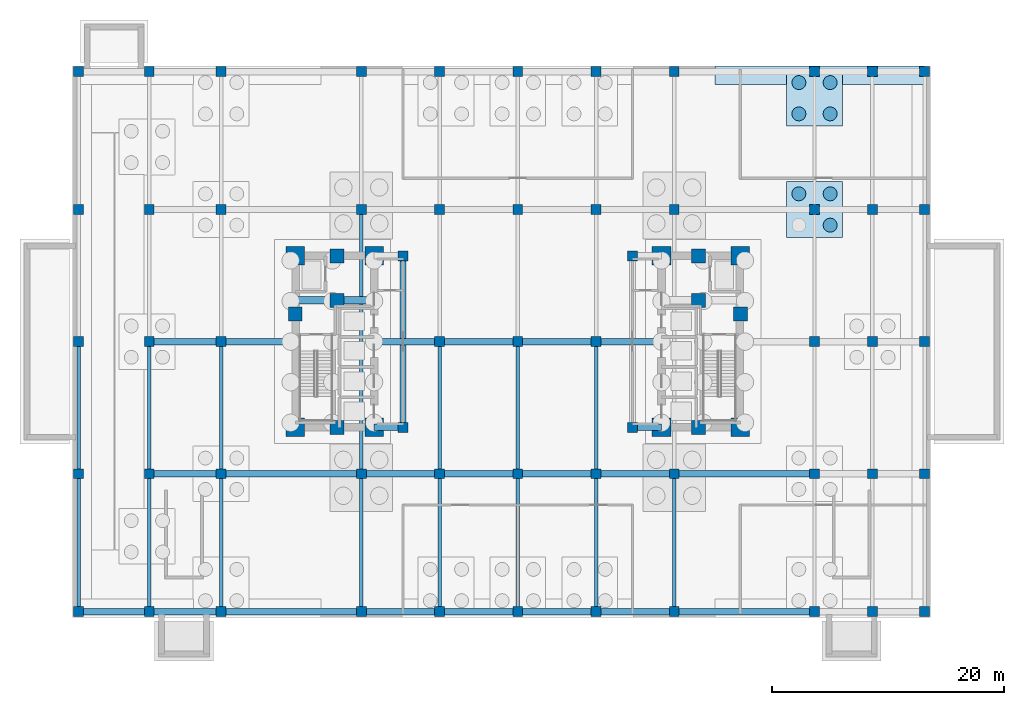
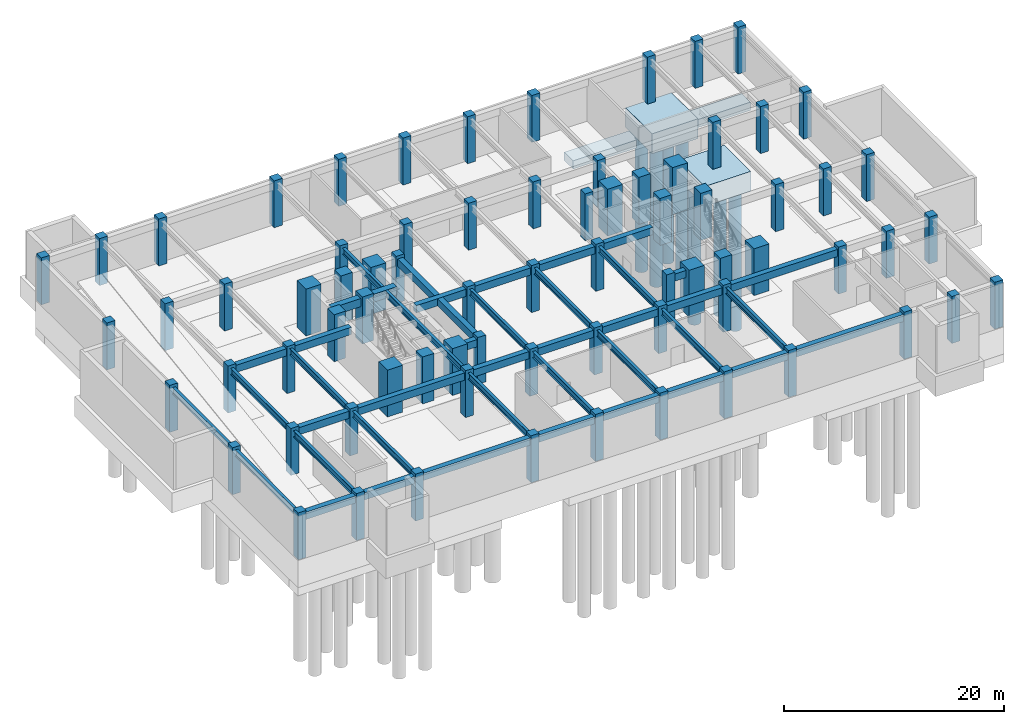
# One storey, part 2 of 11: 73 columns, 40 beams, 7 piles, 3 footings.
"""IFC4 building model written with IfcOpenShell, lengths in metres."""

from ifc_helpers import new_model, si_unit, direction, frame, origin, origin_2d, place, context, subcontext, project, spatial, polyline, rectangle, circle, i_section, outline, extrude, material, material_profile, profile_set, type_object, element, save


model = new_model("IFC4")

# Units and contexts
model_context = context("Model", 3, precision=1e-05, world=origin(), true_north=direction((0.0, 1.0)))
body_context = subcontext(model_context, "Body", "Model", "MODEL_VIEW")
ifc_project = project(units=[si_unit("LENGTHUNIT", "METRE"), si_unit("AREAUNIT", "SQUARE_METRE"), si_unit("VOLUMEUNIT", "CUBIC_METRE"), si_unit("PLANEANGLEUNIT", "RADIAN"), si_unit("MASSUNIT", "GRAM", prefix="KILO")], contexts=[model_context])

# Site, building, storey
site_placement = place(None, origin())
site = spatial("IfcSite", under=ifc_project, at=site_placement, CompositionType="ELEMENT")
building_placement = place(site_placement, origin())
building = spatial("IfcBuilding", under=site, at=building_placement, Name="Voryun Gate Residences", CompositionType="ELEMENT")
storey_placement = place(building_placement, frame((0.0, 0.0, -10.39990234375)))
storey = spatial("IfcBuildingStorey", under=building, at=storey_placement, Name="B02", CompositionType="ELEMENT", Elevation=-10.39990234375)

# Footings
ifc_material_1 = material(Name="Concrete C50/60", Category="concrete")
footing_type_1 = type_object("IfcFootingType", Name="FTG_PC3_PERIM", PredefinedType="PILE_CAP", material=ifc_material_1)
footing_1_placement = place(storey_placement, frame((0.0, 0.0, -2.2001953125)))
element("IfcFooting", 1, at=footing_1_placement, inside=storey, type_object=footing_type_1, Name="Pile cap PC-PERIM-16", PredefinedType="PILE_CAP", context=body_context, shape_type="SweptSolid", body=[
    extrude(outline(polyline([(23.199951171875, 9.0), (28.0, 9.0), (28.0, 13.800048828125), (23.199951171875, 13.800048828125), (23.199951171875, 9.0)])), origin(), (0.0, 0.0, 1.0), 2.2001953125),
])
footing_2_placement = place(storey_placement, frame((0.0, 0.0, -2.2001953125)))
element("IfcFooting", 2, at=footing_2_placement, inside=storey, type_object=footing_type_1, Name="Pile cap PC-PERIM-17", PredefinedType="PILE_CAP", context=body_context, shape_type="SweptSolid", body=[
    extrude(outline(polyline([(23.199951171875, 18.60009765625), (28.0, 18.60009765625), (28.0, 23.39990234375), (23.199951171875, 23.39990234375), (23.199951171875, 18.60009765625)])), origin(), (0.0, 0.0, 1.0), 2.2001953125),
])
ifc_material_2 = material(Name="Concrete C50/60", Category="concrete")
footing_type_2 = type_object("IfcFootingType", Name="FTG_STRIP_RET", PredefinedType="STRIP_FOOTING", material=ifc_material_2)
footing_3_placement = place(storey_placement, frame((0.0, 0.0, -3.900146484375)))
element("IfcFooting", 3, at=footing_3_placement, inside=storey, type_object=footing_type_2, Name="Retaining wall strip footing FTG-SF-N3", PredefinedType="STRIP_FOOTING", context=body_context, shape_type="SweptSolid", body=[
    extrude(outline(polyline([(17.0, 22.199951171875), (35.60009765625, 22.199951171875), (35.60009765625, 23.800048828125), (17.0, 23.800048828125), (17.0, 22.199951171875)])), origin(), (0.0, 0.0, 1.0), 0.900146484375),
])

# Piles
ifc_material_3 = material(Name="Concrete C50/60", Category="concrete")
ifc_material_profile_1 = material_profile(ifc_material_3, circle(Radius=0.60009765625, at=origin_2d()), Name="PILE-D1200")
ifc_profile_set_1 = profile_set([ifc_material_profile_1], Name="Concrete C50/60")
pile_type = type_object("IfcPileType", Name="PILE_BORED_1200", PredefinedType="BORED", material=ifc_profile_set_1)
for number, where, z_axis, x_axis, name in (
    (4, (24.25, 12.75, -2.050048828125), (0.0, 0.0, -1.0), (1.0, 0.0, 0.0), "Bored pile PC-PERIM-16-12"),
    (5, (26.949951171875, 10.050048828125, -2.050048828125), (0.0, 0.0, -1.0), (1.0, 0.0, 0.0), "Bored pile PC-PERIM-16-21"),
    (6, (26.949951171875, 12.75, -2.050048828125), (0.0, 0.0, -1.0), (1.0, 0.0, 0.0), "Bored pile PC-PERIM-16-22"),
    (7, (24.25, 19.64990234375, -2.050048828125), (0.0, 0.0, -1.0), (1.0, 0.0, 0.0), "Bored pile PC-PERIM-17-11"),
    (8, (24.25, 22.35009765625, -2.050048828125), (0.0, 0.0, -1.0), (1.0, 0.0, 0.0), "Bored pile PC-PERIM-17-12"),
    (9, (26.949951171875, 19.64990234375, -2.050048828125), (0.0, 0.0, -1.0), (1.0, 0.0, 0.0), "Bored pile PC-PERIM-17-21"),
    (10, (26.949951171875, 22.35009765625, -2.050048828125), (0.0, 0.0, -1.0), (1.0, 0.0, 0.0), "Bored pile PC-PERIM-17-22"),
):
    element("IfcPile", number, at=place(storey_placement, frame(where, z_axis=z_axis, x_axis=x_axis)), inside=storey, type_object=pile_type, Name=name, PredefinedType="BORED", context=body_context, shape_type="SweptSolid", body=[
        extrude(circle(Radius=0.60009765625, at=origin_2d()), origin(), (0.0, 0.0, 1.0), 15.550048828125),
    ])

# Columns
ifc_material_4 = material(Name="Concrete C50/60", Category="concrete")
ifc_material_profile_2 = material_profile(ifc_material_4, rectangle(XDim=0.85009765625, YDim=0.85009765625, at=origin_2d()), Name="RC-850x850")
ifc_profile_set_2 = profile_set([ifc_material_profile_2], Name="Concrete C50/60")
column_type_1 = type_object("IfcColumnType", Name="COL_BSMT_850", PredefinedType="COLUMN", material=ifc_profile_set_2)
for number, where, z_axis, x_axis, name in (
    (11, (-37.89990234375, -23.300048828125, 0.0), (0.0, 0.0, 1.0), (1.0, 0.0, 0.0), "B02 Basement grid column 1-1"),
    (12, (-37.89990234375, -11.39990234375, 0.0), (0.0, 0.0, 1.0), (1.0, 0.0, 0.0), "B02 Basement grid column 1-2"),
    (13, (-37.89990234375, 0.0, 0.0), (0.0, 0.0, 1.0), (1.0, 0.0, 0.0), "B02 Basement grid column 1-3"),
    (14, (-37.89990234375, 11.39990234375, 0.0), (0.0, 0.0, 1.0), (1.0, 0.0, 0.0), "B02 Basement grid column 1-4"),
    (15, (-37.89990234375, 23.300048828125, 0.0), (0.0, 0.0, 1.0), (1.0, 0.0, 0.0), "B02 Basement grid column 1-5"),
    (16, (-31.800048828125, -23.300048828125, 0.0), (0.0, 0.0, 1.0), (1.0, 0.0, 0.0), "B02 Basement grid column 2-1"),
    (17, (-31.800048828125, -11.39990234375, 0.0), (0.0, 0.0, 1.0), (1.0, 0.0, 0.0), "B02 Basement grid column 2-2"),
    (18, (-31.800048828125, 0.0, 0.0), (0.0, 0.0, 1.0), (1.0, 0.0, 0.0), "B02 Basement grid column 2-3"),
    (19, (-31.800048828125, 11.39990234375, 0.0), (0.0, 0.0, 1.0), (1.0, 0.0, 0.0), "B02 Basement grid column 2-4"),
    (20, (-31.800048828125, 23.300048828125, 0.0), (0.0, 0.0, 1.0), (1.0, 0.0, 0.0), "B02 Basement grid column 2-5"),
    (21, (-25.60009765625, -23.300048828125, 0.0), (0.0, 0.0, 1.0), (1.0, 0.0, 0.0), "B02 Basement grid column 3-1"),
    (22, (-25.60009765625, -11.39990234375, 0.0), (0.0, 0.0, 1.0), (1.0, 0.0, 0.0), "B02 Basement grid column 3-2"),
    (23, (-25.60009765625, 0.0, 0.0), (0.0, 0.0, 1.0), (1.0, 0.0, 0.0), "B02 Basement grid column 3-3"),
    (24, (-25.60009765625, 11.39990234375, 0.0), (0.0, 0.0, 1.0), (1.0, 0.0, 0.0), "B02 Basement grid column 3-4"),
    (25, (-25.60009765625, 23.300048828125, 0.0), (0.0, 0.0, 1.0), (1.0, 0.0, 0.0), "B02 Basement grid column 3-5"),
    (26, (-13.5, -23.300048828125, 0.0), (0.0, 0.0, 1.0), (1.0, 0.0, 0.0), "B02 Basement grid column 4-1"),
    (27, (-13.5, -11.39990234375, 0.0), (0.0, 0.0, 1.0), (1.0, 0.0, 0.0), "B02 Basement grid column 4-2"),
    (28, (-13.5, 11.39990234375, 0.0), (0.0, 0.0, 1.0), (1.0, 0.0, 0.0), "B02 Basement grid column 4-4"),
    (29, (-13.5, 23.300048828125, 0.0), (0.0, 0.0, 1.0), (1.0, 0.0, 0.0), "B02 Basement grid column 4-5"),
    (30, (-6.75, -23.300048828125, 0.0), (0.0, 0.0, 1.0), (1.0, 0.0, 0.0), "B02 Basement grid column 5-1"),
    (31, (-6.75, -11.39990234375, 0.0), (0.0, 0.0, 1.0), (1.0, 0.0, 0.0), "B02 Basement grid column 5-2"),
    (32, (-6.75, 0.0, 0.0), (0.0, 0.0, 1.0), (1.0, 0.0, 0.0), "B02 Basement grid column 5-3"),
    (33, (-6.75, 11.39990234375, 0.0), (0.0, 0.0, 1.0), (1.0, 0.0, 0.0), "B02 Basement grid column 5-4"),
    (34, (-6.75, 23.300048828125, 0.0), (0.0, 0.0, 1.0), (1.0, 0.0, 0.0), "B02 Basement grid column 5-5"),
    (35, (0.0, -23.300048828125, 0.0), (0.0, 0.0, 1.0), (1.0, 0.0, 0.0), "B02 Basement grid column 6-1"),
    (36, (0.0, -11.39990234375, 0.0), (0.0, 0.0, 1.0), (1.0, 0.0, 0.0), "B02 Basement grid column 6-2"),
    (37, (0.0, 0.0, 0.0), (0.0, 0.0, 1.0), (1.0, 0.0, 0.0), "B02 Basement grid column 6-3"),
    (38, (0.0, 11.39990234375, 0.0), (0.0, 0.0, 1.0), (1.0, 0.0, 0.0), "B02 Basement grid column 6-4"),
    (39, (0.0, 23.300048828125, 0.0), (0.0, 0.0, 1.0), (1.0, 0.0, 0.0), "B02 Basement grid column 6-5"),
    (40, (6.75, -23.300048828125, 0.0), (0.0, 0.0, 1.0), (1.0, 0.0, 0.0), "B02 Basement grid column 7-1"),
    (41, (6.75, -11.39990234375, 0.0), (0.0, 0.0, 1.0), (1.0, 0.0, 0.0), "B02 Basement grid column 7-2"),
    (42, (6.75, 0.0, 0.0), (0.0, 0.0, 1.0), (1.0, 0.0, 0.0), "B02 Basement grid column 7-3"),
    (43, (6.75, 11.39990234375, 0.0), (0.0, 0.0, 1.0), (1.0, 0.0, 0.0), "B02 Basement grid column 7-4"),
    (44, (6.75, 23.300048828125, 0.0), (0.0, 0.0, 1.0), (1.0, 0.0, 0.0), "B02 Basement grid column 7-5"),
    (45, (13.5, -23.300048828125, 0.0), (0.0, 0.0, 1.0), (1.0, 0.0, 0.0), "B02 Basement grid column 8-1"),
    (46, (13.5, -11.39990234375, 0.0), (0.0, 0.0, 1.0), (1.0, 0.0, 0.0), "B02 Basement grid column 8-2"),
    (47, (13.5, 11.39990234375, 0.0), (0.0, 0.0, 1.0), (1.0, 0.0, 0.0), "B02 Basement grid column 8-4"),
    (48, (13.5, 23.300048828125, 0.0), (0.0, 0.0, 1.0), (1.0, 0.0, 0.0), "B02 Basement grid column 8-5"),
    (49, (25.60009765625, -23.300048828125, 0.0), (0.0, 0.0, 1.0), (1.0, 0.0, 0.0), "B02 Basement grid column 9-1"),
    (50, (25.60009765625, -11.39990234375, 0.0), (0.0, 0.0, 1.0), (1.0, 0.0, 0.0), "B02 Basement grid column 9-2"),
    (51, (25.60009765625, 0.0, 0.0), (0.0, 0.0, 1.0), (1.0, 0.0, 0.0), "B02 Basement grid column 9-3"),
    (52, (25.60009765625, 11.39990234375, 0.0), (0.0, 0.0, 1.0), (1.0, 0.0, 0.0), "B02 Basement grid column 9-4"),
    (53, (25.60009765625, 23.300048828125, 0.0), (0.0, 0.0, 1.0), (1.0, 0.0, 0.0), "B02 Basement grid column 9-5"),
    (54, (30.60009765625, -23.300048828125, 0.0), (0.0, 0.0, 1.0), (1.0, 0.0, 0.0), "B02 Basement grid column 10-1"),
    (55, (30.60009765625, -11.39990234375, 0.0), (0.0, 0.0, 1.0), (1.0, 0.0, 0.0), "B02 Basement grid column 10-2"),
    (56, (30.60009765625, 0.0, 0.0), (0.0, 0.0, 1.0), (1.0, 0.0, 0.0), "B02 Basement grid column 10-3"),
    (57, (30.60009765625, 11.39990234375, 0.0), (0.0, 0.0, 1.0), (1.0, 0.0, 0.0), "B02 Basement grid column 10-4"),
    (58, (30.60009765625, 23.300048828125, 0.0), (0.0, 0.0, 1.0), (1.0, 0.0, 0.0), "B02 Basement grid column 10-5"),
    (59, (35.10009765625, -23.300048828125, 0.0), (0.0, 0.0, 1.0), (1.0, 0.0, 0.0), "B02 Basement grid column 11-1"),
    (60, (35.10009765625, -11.39990234375, 0.0), (0.0, 0.0, 1.0), (1.0, 0.0, 0.0), "B02 Basement grid column 11-2"),
    (61, (35.10009765625, 0.0, 0.0), (0.0, 0.0, 1.0), (1.0, 0.0, 0.0), "B02 Basement grid column 11-3"),
    (62, (35.10009765625, 11.39990234375, 0.0), (0.0, 0.0, 1.0), (1.0, 0.0, 0.0), "B02 Basement grid column 11-4"),
    (63, (35.10009765625, 23.300048828125, 0.0), (0.0, 0.0, 1.0), (1.0, 0.0, 0.0), "B02 Basement grid column 11-5"),
    (64, (-9.89990234375, -7.39990234375, 0.0), (0.0, 0.0, 1.0), (1.0, 0.0, 0.0), "B02 Core collar column CLR-WS"),
    (65, (-9.89990234375, 7.39990234375, 0.0), (0.0, 0.0, 1.0), (1.0, 0.0, 0.0), "B02 Core collar column CLR-WN"),
    (66, (9.89990234375, -7.39990234375, 0.0), (0.0, 0.0, 1.0), (1.0, 0.0, 0.0), "B02 Core collar column CLR-ES"),
    (67, (9.89990234375, 7.39990234375, 0.0), (0.0, 0.0, 1.0), (1.0, 0.0, 0.0), "B02 Core collar column CLR-EN"),
):
    element("IfcColumn", number, at=place(storey_placement, frame(where, z_axis=z_axis, x_axis=x_axis)), inside=storey, type_object=column_type_1, Name=name, PredefinedType="COLUMN", context=body_context, shape_type="SweptSolid", body=[
        extrude(rectangle(XDim=0.85009765625, YDim=0.85009765625, at=origin_2d()), origin(), (0.0, 0.0, 1.0), 5.199951171875),
    ])
ifc_material_5 = material(Name="Concrete C60/75", Category="concrete")
ifc_material_profile_3 = material_profile(ifc_material_5, rectangle(XDim=1.199951171875, YDim=1.199951171875, at=origin_2d()), Name="RC-1200x1200")
ifc_profile_set_3 = profile_set([ifc_material_profile_3], Name="Concrete C60/75")
column_type_2 = type_object("IfcColumnType", Name="COL_CORE_1200", PredefinedType="COLUMN", material=ifc_profile_set_3)
for number, where, z_axis, x_axis, name in (
    (68, (-19.199951171875, 2.39990234375, 0.0), (0.0, 0.0, 1.0), (1.0, 0.0, 0.0), "B02 Core boundary column WC-MW"),
    (69, (-15.60009765625, -7.39990234375, 0.0), (0.0, 0.0, 1.0), (1.0, 0.0, 0.0), "B02 Core boundary column WC-SM"),
    (70, (-15.60009765625, 7.39990234375, 0.0), (0.0, 0.0, 1.0), (1.0, 0.0, 0.0), "B02 Core boundary column WC-NM"),
    (71, (-15.60009765625, 3.550048828125, 0.0), (0.0, 0.0, 1.0), (1.0, 0.0, 0.0), "B02 Core boundary column WC-MM"),
    (72, (15.60009765625, 3.550048828125, 0.0), (0.0, 0.0, 1.0), (1.0, 0.0, 0.0), "B02 Core boundary column EC-MM"),
    (73, (15.60009765625, -7.39990234375, 0.0), (0.0, 0.0, 1.0), (1.0, 0.0, 0.0), "B02 Core boundary column EC-SM"),
    (74, (15.60009765625, 7.39990234375, 0.0), (0.0, 0.0, 1.0), (1.0, 0.0, 0.0), "B02 Core boundary column EC-NM"),
    (75, (19.199951171875, 2.39990234375, 0.0), (0.0, 0.0, 1.0), (1.0, 0.0, 0.0), "B02 Core boundary column EC-ME"),
):
    element("IfcColumn", number, at=place(storey_placement, frame(where, z_axis=z_axis, x_axis=x_axis)), inside=storey, type_object=column_type_2, Name=name, PredefinedType="COLUMN", context=body_context, shape_type="SweptSolid", body=[
        extrude(rectangle(XDim=1.199951171875, YDim=1.199951171875, at=origin_2d()), origin(), (0.0, 0.0, 1.0), 5.199951171875),
    ])
ifc_material_6 = material(Name="Concrete C60/75", Category="concrete")
ifc_material_profile_4 = material_profile(ifc_material_6, rectangle(XDim=1.60009765625, YDim=1.60009765625, at=origin_2d()), Name="RC-1600x1600")
ifc_profile_set_4 = profile_set([ifc_material_profile_4], Name="Concrete C60/75")
column_type_3 = type_object("IfcColumnType", Name="COL_MEGA_1600", PredefinedType="COLUMN", material=ifc_profile_set_4)
for number, where, z_axis, x_axis, name in (
    (76, (-19.199951171875, -7.39990234375, 0.0), (0.0, 0.0, 1.0), (1.0, 0.0, 0.0), "B02 Core boundary column WC-SW"),
    (77, (-19.199951171875, 7.39990234375, 0.0), (0.0, 0.0, 1.0), (1.0, 0.0, 0.0), "B02 Core boundary column WC-NW"),
    (78, (-12.39990234375, -7.39990234375, 0.0), (0.0, 0.0, 1.0), (1.0, 0.0, 0.0), "B02 Core boundary column WC-SE"),
    (79, (-12.39990234375, 7.39990234375, 0.0), (0.0, 0.0, 1.0), (1.0, 0.0, 0.0), "B02 Core boundary column WC-NE"),
    (80, (12.39990234375, -7.39990234375, 0.0), (0.0, 0.0, 1.0), (1.0, 0.0, 0.0), "B02 Core boundary column EC-SW"),
    (81, (12.39990234375, 7.39990234375, 0.0), (0.0, 0.0, 1.0), (1.0, 0.0, 0.0), "B02 Core boundary column EC-NW"),
    (82, (19.199951171875, -7.39990234375, 0.0), (0.0, 0.0, 1.0), (1.0, 0.0, 0.0), "B02 Core boundary column EC-SE"),
    (83, (19.199951171875, 7.39990234375, 0.0), (0.0, 0.0, 1.0), (1.0, 0.0, 0.0), "B02 Core boundary column EC-NE"),
):
    element("IfcColumn", number, at=place(storey_placement, frame(where, z_axis=z_axis, x_axis=x_axis)), inside=storey, type_object=column_type_3, Name=name, PredefinedType="COLUMN", context=body_context, shape_type="SweptSolid", body=[
        extrude(rectangle(XDim=1.60009765625, YDim=1.60009765625, at=origin_2d()), origin(), (0.0, 0.0, 1.0), 5.199951171875),
    ])

# Beams
ifc_material_7 = material(Name="Concrete C50/60", Category="concrete")
ifc_material_profile_5 = material_profile(ifc_material_7, rectangle(XDim=0.550048828125, YDim=0.800048828125, at=origin_2d()), Name="RC-550x800")
ifc_profile_set_5 = profile_set([ifc_material_profile_5], Name="Concrete C50/60")
beam_type_1 = type_object("IfcBeamType", Name="BM_BSMT_RC800", PredefinedType="BEAM", material=ifc_profile_set_5)
for number, where, z_axis, x_axis, name in (
    (84, (-12.39990234375, -7.39990234375, 4.47998046875), (1.0, 0.0, 0.0), (0.0, 1.0, 0.0), "BM-B02-CLRX-CLR-WS"),
    (85, (12.39990234375, -7.39990234375, 4.47998046875), (-1.0, 0.0, 0.0), (0.0, -1.0, 0.0), "BM-B02-CLRX-CLR-ES"),
):
    element("IfcBeam", number, at=place(storey_placement, frame(where, z_axis=z_axis, x_axis=x_axis)), inside=storey, type_object=beam_type_1, Name=name, PredefinedType="BEAM", context=body_context, shape_type="SweptSolid", body=[
        extrude(rectangle(XDim=0.550048828125, YDim=0.800048828125, at=origin_2d()), origin(), (0.0, 0.0, 1.0), 2.5),
    ])
beam_1_placement = place(storey_placement, frame((-9.89990234375, -7.39990234375, 4.47998046875), z_axis=(0.0, 1.0, 0.0), x_axis=(-1.0, 0.0, 0.0)))
element("IfcBeam", 86, at=beam_1_placement, inside=storey, type_object=beam_type_1, Name="BM-B02-CLRY-W", PredefinedType="BEAM", context=body_context, shape_type="SweptSolid", body=[
    extrude(rectangle(XDim=0.550048828125, YDim=0.800048828125, at=origin_2d()), origin(), (0.0, 0.0, 1.0), 14.7998046875),
])
beam_2_placement = place(storey_placement, frame((-37.89990234375, -23.300048828125, 4.47998046875), z_axis=(1.0, 0.0, 0.0), x_axis=(0.0, 1.0, 0.0)))
element("IfcBeam", 87, at=beam_2_placement, inside=storey, type_object=beam_type_1, Name="BM-B02-BX--23.3-0", PredefinedType="BEAM", context=body_context, shape_type="SweptSolid", body=[
    extrude(rectangle(XDim=0.550048828125, YDim=0.800048828125, at=origin_2d()), origin(), (0.0, 0.0, 1.0), 6.099853515625),
])
beam_3_placement = place(storey_placement, frame((-31.800048828125, -23.300048828125, 4.47998046875), z_axis=(1.0, 0.0, 0.0), x_axis=(0.0, 1.0, 0.0)))
element("IfcBeam", 88, at=beam_3_placement, inside=storey, type_object=beam_type_1, Name="BM-B02-BX--23.3-1", PredefinedType="BEAM", context=body_context, shape_type="SweptSolid", body=[
    extrude(rectangle(XDim=0.550048828125, YDim=0.800048828125, at=origin_2d()), origin(), (0.0, 0.0, 1.0), 6.199951171875),
])
beam_4_placement = place(storey_placement, frame((-25.60009765625, -23.300048828125, 4.47998046875), z_axis=(1.0, 0.0, 0.0), x_axis=(0.0, 1.0, 0.0)))
element("IfcBeam", 89, at=beam_4_placement, inside=storey, type_object=beam_type_1, Name="BM-B02-BX--23.3-2", PredefinedType="BEAM", context=body_context, shape_type="SweptSolid", body=[
    extrude(rectangle(XDim=0.550048828125, YDim=0.800048828125, at=origin_2d()), origin(), (0.0, 0.0, 1.0), 12.10009765625),
])
for number, where, z_axis, x_axis, name in (
    (90, (-13.5, -23.300048828125, 4.47998046875), (1.0, 0.0, 0.0), (0.0, 1.0, 0.0), "BM-B02-BX--23.3-3"),
    (91, (-6.75, -23.300048828125, 4.47998046875), (1.0, 0.0, 0.0), (0.0, 1.0, 0.0), "BM-B02-BX--23.3-4"),
    (92, (0.0, -23.300048828125, 4.47998046875), (1.0, 0.0, 0.0), (0.0, 1.0, 0.0), "BM-B02-BX--23.3-5"),
    (93, (6.75, -23.300048828125, 4.47998046875), (1.0, 0.0, 0.0), (0.0, 1.0, 0.0), "BM-B02-BX--23.3-6"),
):
    element("IfcBeam", number, at=place(storey_placement, frame(where, z_axis=z_axis, x_axis=x_axis)), inside=storey, type_object=beam_type_1, Name=name, PredefinedType="BEAM", context=body_context, shape_type="SweptSolid", body=[
        extrude(rectangle(XDim=0.550048828125, YDim=0.800048828125, at=origin_2d()), origin(), (0.0, 0.0, 1.0), 6.75),
    ])
beam_5_placement = place(storey_placement, frame((13.5, -23.300048828125, 4.47998046875), z_axis=(1.0, 0.0, 0.0), x_axis=(0.0, 1.0, 0.0)))
element("IfcBeam", 94, at=beam_5_placement, inside=storey, type_object=beam_type_1, Name="BM-B02-BX--23.3-7", PredefinedType="BEAM", context=body_context, shape_type="SweptSolid", body=[
    extrude(rectangle(XDim=0.550048828125, YDim=0.800048828125, at=origin_2d()), origin(), (0.0, 0.0, 1.0), 12.10009765625),
])
beam_6_placement = place(storey_placement, frame((-31.800048828125, -11.39990234375, 4.47998046875), z_axis=(1.0, 0.0, 0.0), x_axis=(0.0, 1.0, 0.0)))
element("IfcBeam", 95, at=beam_6_placement, inside=storey, type_object=beam_type_1, Name="BM-B02-BX--11.4-1", PredefinedType="BEAM", context=body_context, shape_type="SweptSolid", body=[
    extrude(rectangle(XDim=0.550048828125, YDim=0.800048828125, at=origin_2d()), origin(), (0.0, 0.0, 1.0), 6.199951171875),
])
beam_7_placement = place(storey_placement, frame((-25.60009765625, -11.39990234375, 4.47998046875), z_axis=(1.0, 0.0, 0.0), x_axis=(0.0, 1.0, 0.0)))
element("IfcBeam", 96, at=beam_7_placement, inside=storey, type_object=beam_type_1, Name="BM-B02-BX--11.4-2", PredefinedType="BEAM", context=body_context, shape_type="SweptSolid", body=[
    extrude(rectangle(XDim=0.550048828125, YDim=0.800048828125, at=origin_2d()), origin(), (0.0, 0.0, 1.0), 12.10009765625),
])
for number, where, z_axis, x_axis, name in (
    (97, (-13.5, -11.39990234375, 4.47998046875), (1.0, 0.0, 0.0), (0.0, 1.0, 0.0), "BM-B02-BX--11.4-3"),
    (98, (-6.75, -11.39990234375, 4.47998046875), (1.0, 0.0, 0.0), (0.0, 1.0, 0.0), "BM-B02-BX--11.4-4"),
    (99, (0.0, -11.39990234375, 4.47998046875), (1.0, 0.0, 0.0), (0.0, 1.0, 0.0), "BM-B02-BX--11.4-5"),
    (100, (6.75, -11.39990234375, 4.47998046875), (1.0, 0.0, 0.0), (0.0, 1.0, 0.0), "BM-B02-BX--11.4-6"),
):
    element("IfcBeam", number, at=place(storey_placement, frame(where, z_axis=z_axis, x_axis=x_axis)), inside=storey, type_object=beam_type_1, Name=name, PredefinedType="BEAM", context=body_context, shape_type="SweptSolid", body=[
        extrude(rectangle(XDim=0.550048828125, YDim=0.800048828125, at=origin_2d()), origin(), (0.0, 0.0, 1.0), 6.75),
    ])
beam_8_placement = place(storey_placement, frame((13.5, -11.39990234375, 4.47998046875), z_axis=(1.0, 0.0, 0.0), x_axis=(0.0, 1.0, 0.0)))
element("IfcBeam", 101, at=beam_8_placement, inside=storey, type_object=beam_type_1, Name="BM-B02-BX--11.4-7", PredefinedType="BEAM", context=body_context, shape_type="SweptSolid", body=[
    extrude(rectangle(XDim=0.550048828125, YDim=0.800048828125, at=origin_2d()), origin(), (0.0, 0.0, 1.0), 12.10009765625),
])
beam_9_placement = place(storey_placement, frame((-31.800048828125, 0.0, 4.47998046875), z_axis=(1.0, 0.0, 0.0), x_axis=(0.0, 1.0, 0.0)))
element("IfcBeam", 102, at=beam_9_placement, inside=storey, type_object=beam_type_1, Name="BM-B02-BX-+0.0-1", PredefinedType="BEAM", context=body_context, shape_type="SweptSolid", body=[
    extrude(rectangle(XDim=0.550048828125, YDim=0.800048828125, at=origin_2d()), origin(), (0.0, 0.0, 1.0), 6.199951171875),
])
beam_10_placement = place(storey_placement, frame((-25.60009765625, 0.0, 4.47998046875), z_axis=(1.0, 0.0, 0.0), x_axis=(0.0, 1.0, 0.0)))
element("IfcBeam", 103, at=beam_10_placement, inside=storey, type_object=beam_type_1, Name="BM-B02-BX-+0.0-2", PredefinedType="BEAM", context=body_context, shape_type="SweptSolid", body=[
    extrude(rectangle(XDim=0.550048828125, YDim=0.800048828125, at=origin_2d()), origin(), (0.0, 0.0, 1.0), 6.400146484375),
])
beam_11_placement = place(storey_placement, frame((-12.39990234375, 0.0, 4.47998046875), z_axis=(1.0, 0.0, 0.0), x_axis=(0.0, 1.0, 0.0)))
element("IfcBeam", 104, at=beam_11_placement, inside=storey, type_object=beam_type_1, Name="BM-B02-BX-+0.0-4", PredefinedType="BEAM", context=body_context, shape_type="SweptSolid", body=[
    extrude(rectangle(XDim=0.550048828125, YDim=0.800048828125, at=origin_2d()), origin(), (0.0, 0.0, 1.0), 5.64990234375),
])
for number, where, z_axis, x_axis, name in (
    (105, (-6.75, 0.0, 4.47998046875), (1.0, 0.0, 0.0), (0.0, 1.0, 0.0), "BM-B02-BX-+0.0-5"),
    (106, (0.0, 0.0, 4.47998046875), (1.0, 0.0, 0.0), (0.0, 1.0, 0.0), "BM-B02-BX-+0.0-6"),
):
    element("IfcBeam", number, at=place(storey_placement, frame(where, z_axis=z_axis, x_axis=x_axis)), inside=storey, type_object=beam_type_1, Name=name, PredefinedType="BEAM", context=body_context, shape_type="SweptSolid", body=[
        extrude(rectangle(XDim=0.550048828125, YDim=0.800048828125, at=origin_2d()), origin(), (0.0, 0.0, 1.0), 6.75),
    ])
beam_12_placement = place(storey_placement, frame((6.75, 0.0, 4.47998046875), z_axis=(1.0, 0.0, 0.0), x_axis=(0.0, 1.0, 0.0)))
element("IfcBeam", 107, at=beam_12_placement, inside=storey, type_object=beam_type_1, Name="BM-B02-BX-+0.0-7", PredefinedType="BEAM", context=body_context, shape_type="SweptSolid", body=[
    extrude(rectangle(XDim=0.550048828125, YDim=0.800048828125, at=origin_2d()), origin(), (0.0, 0.0, 1.0), 5.64990234375),
])
ifc_material_8 = material(Name="Concrete C60/75", Category="concrete")
ifc_material_profile_6 = material_profile(ifc_material_8, rectangle(XDim=0.64990234375, YDim=0.89990234375, at=origin_2d()), Name="RC-650x900")
ifc_profile_set_6 = profile_set([ifc_material_profile_6], Name="Concrete C60/75")
beam_type_2 = type_object("IfcBeamType", Name="BM_COUP_RC900", PredefinedType="LINTEL", material=ifc_profile_set_6)
beam_13_placement = place(storey_placement, frame((-19.199951171875, 3.550048828125, 4.429931640625), z_axis=(1.0, 0.0, 0.0), x_axis=(0.0, 1.0, 0.0)))
element("IfcBeam", 108, at=beam_13_placement, inside=storey, type_object=beam_type_2, Name="BM-B02-WC1", PredefinedType="LINTEL", context=body_context, shape_type="SweptSolid", body=[
    extrude(rectangle(XDim=0.64990234375, YDim=0.89990234375, at=origin_2d()), origin(), (0.0, 0.0, 1.0), 6.800048828125),
])
ifc_material_9 = material(Name="Steel SM355", Category="steel")
ifc_material_profile_7 = material_profile(ifc_material_9, i_section(OverallWidth=0.300048828125, OverallDepth=0.699951171875, WebThickness=0.012939453125, FlangeThickness=0.02392578125, FilletRadius=0.01806640625, at=origin_2d()), Name="H-700x300x13x24")
ifc_profile_set_7 = profile_set([ifc_material_profile_7], Name="Steel SM355")
beam_type_3 = type_object("IfcBeamType", Name="BM_GIRD_700", PredefinedType="USERDEFINED", material=ifc_profile_set_7)
beam_14_placement = place(storey_placement, frame((-37.89990234375, -23.300048828125, 4.52978515625), z_axis=(0.0, 1.0, 0.0), x_axis=(-1.0, 0.0, 0.0)))
element("IfcBeam", 109, at=beam_14_placement, inside=storey, type_object=beam_type_3, Name="BM-B02-BY--37.9-0", ObjectType="GIRDER", PredefinedType="USERDEFINED", context=body_context, shape_type="SweptSolid", body=[
    extrude(i_section(OverallWidth=0.300048828125, OverallDepth=0.699951171875, WebThickness=0.012939453125, FlangeThickness=0.02392578125, FilletRadius=0.01806640625, at=origin_2d()), origin(), (0.0, 0.0, 1.0), 11.900146484375),
])
beam_15_placement = place(storey_placement, frame((-37.89990234375, -11.39990234375, 4.52978515625), z_axis=(0.0, 1.0, 0.0), x_axis=(-1.0, 0.0, 0.0)))
element("IfcBeam", 110, at=beam_15_placement, inside=storey, type_object=beam_type_3, Name="BM-B02-BY--37.9-1", ObjectType="GIRDER", PredefinedType="USERDEFINED", context=body_context, shape_type="SweptSolid", body=[
    extrude(i_section(OverallWidth=0.300048828125, OverallDepth=0.699951171875, WebThickness=0.012939453125, FlangeThickness=0.02392578125, FilletRadius=0.01806640625, at=origin_2d()), origin(), (0.0, 0.0, 1.0), 11.39990234375),
])
beam_16_placement = place(storey_placement, frame((-31.800048828125, -23.300048828125, 4.52978515625), z_axis=(0.0, 1.0, 0.0), x_axis=(-1.0, 0.0, 0.0)))
element("IfcBeam", 111, at=beam_16_placement, inside=storey, type_object=beam_type_3, Name="BM-B02-BY--31.8-0", ObjectType="GIRDER", PredefinedType="USERDEFINED", context=body_context, shape_type="SweptSolid", body=[
    extrude(i_section(OverallWidth=0.300048828125, OverallDepth=0.699951171875, WebThickness=0.012939453125, FlangeThickness=0.02392578125, FilletRadius=0.01806640625, at=origin_2d()), origin(), (0.0, 0.0, 1.0), 11.900146484375),
])
beam_17_placement = place(storey_placement, frame((-31.800048828125, -11.39990234375, 4.52978515625), z_axis=(0.0, 1.0, 0.0), x_axis=(-1.0, 0.0, 0.0)))
element("IfcBeam", 112, at=beam_17_placement, inside=storey, type_object=beam_type_3, Name="BM-B02-BY--31.8-1", ObjectType="GIRDER", PredefinedType="USERDEFINED", context=body_context, shape_type="SweptSolid", body=[
    extrude(i_section(OverallWidth=0.300048828125, OverallDepth=0.699951171875, WebThickness=0.012939453125, FlangeThickness=0.02392578125, FilletRadius=0.01806640625, at=origin_2d()), origin(), (0.0, 0.0, 1.0), 11.39990234375),
])
beam_18_placement = place(storey_placement, frame((-25.60009765625, -23.300048828125, 4.52978515625), z_axis=(0.0, 1.0, 0.0), x_axis=(-1.0, 0.0, 0.0)))
element("IfcBeam", 113, at=beam_18_placement, inside=storey, type_object=beam_type_3, Name="BM-B02-BY--25.6-0", ObjectType="GIRDER", PredefinedType="USERDEFINED", context=body_context, shape_type="SweptSolid", body=[
    extrude(i_section(OverallWidth=0.300048828125, OverallDepth=0.699951171875, WebThickness=0.012939453125, FlangeThickness=0.02392578125, FilletRadius=0.01806640625, at=origin_2d()), origin(), (0.0, 0.0, 1.0), 11.900146484375),
])
beam_19_placement = place(storey_placement, frame((-25.60009765625, -11.39990234375, 4.52978515625), z_axis=(0.0, 1.0, 0.0), x_axis=(-1.0, 0.0, 0.0)))
element("IfcBeam", 114, at=beam_19_placement, inside=storey, type_object=beam_type_3, Name="BM-B02-BY--25.6-1", ObjectType="GIRDER", PredefinedType="USERDEFINED", context=body_context, shape_type="SweptSolid", body=[
    extrude(i_section(OverallWidth=0.300048828125, OverallDepth=0.699951171875, WebThickness=0.012939453125, FlangeThickness=0.02392578125, FilletRadius=0.01806640625, at=origin_2d()), origin(), (0.0, 0.0, 1.0), 11.39990234375),
])
beam_20_placement = place(storey_placement, frame((-13.5, -23.300048828125, 4.52978515625), z_axis=(0.0, 1.0, 0.0), x_axis=(-1.0, 0.0, 0.0)))
element("IfcBeam", 115, at=beam_20_placement, inside=storey, type_object=beam_type_3, Name="BM-B02-BY--13.5-0", ObjectType="GIRDER", PredefinedType="USERDEFINED", context=body_context, shape_type="SweptSolid", body=[
    extrude(i_section(OverallWidth=0.300048828125, OverallDepth=0.699951171875, WebThickness=0.012939453125, FlangeThickness=0.02392578125, FilletRadius=0.01806640625, at=origin_2d()), origin(), (0.0, 0.0, 1.0), 11.900146484375),
])
beam_21_placement = place(storey_placement, frame((-13.5, -11.39990234375, 4.52978515625), z_axis=(0.0, 1.0, 0.0), x_axis=(-1.0, 0.0, 0.0)))
element("IfcBeam", 116, at=beam_21_placement, inside=storey, type_object=beam_type_3, Name="BM-B02-BY--13.5-1", ObjectType="GIRDER", PredefinedType="USERDEFINED", context=body_context, shape_type="SweptSolid", body=[
    extrude(i_section(OverallWidth=0.300048828125, OverallDepth=0.699951171875, WebThickness=0.012939453125, FlangeThickness=0.02392578125, FilletRadius=0.01806640625, at=origin_2d()), origin(), (0.0, 0.0, 1.0), 22.7998046875),
])
beam_22_placement = place(storey_placement, frame((-6.75, -23.300048828125, 4.52978515625), z_axis=(0.0, 1.0, 0.0), x_axis=(-1.0, 0.0, 0.0)))
element("IfcBeam", 117, at=beam_22_placement, inside=storey, type_object=beam_type_3, Name="BM-B02-BY--6.8-0", ObjectType="GIRDER", PredefinedType="USERDEFINED", context=body_context, shape_type="SweptSolid", body=[
    extrude(i_section(OverallWidth=0.300048828125, OverallDepth=0.699951171875, WebThickness=0.012939453125, FlangeThickness=0.02392578125, FilletRadius=0.01806640625, at=origin_2d()), origin(), (0.0, 0.0, 1.0), 11.900146484375),
])
beam_23_placement = place(storey_placement, frame((-6.75, -11.39990234375, 4.52978515625), z_axis=(0.0, 1.0, 0.0), x_axis=(-1.0, 0.0, 0.0)))
element("IfcBeam", 118, at=beam_23_placement, inside=storey, type_object=beam_type_3, Name="BM-B02-BY--6.8-1", ObjectType="GIRDER", PredefinedType="USERDEFINED", context=body_context, shape_type="SweptSolid", body=[
    extrude(i_section(OverallWidth=0.300048828125, OverallDepth=0.699951171875, WebThickness=0.012939453125, FlangeThickness=0.02392578125, FilletRadius=0.01806640625, at=origin_2d()), origin(), (0.0, 0.0, 1.0), 11.39990234375),
])
beam_24_placement = place(storey_placement, frame((0.0, -23.300048828125, 4.52978515625), z_axis=(0.0, 1.0, 0.0), x_axis=(-1.0, 0.0, 0.0)))
element("IfcBeam", 119, at=beam_24_placement, inside=storey, type_object=beam_type_3, Name="BM-B02-BY-+0.0-0", ObjectType="GIRDER", PredefinedType="USERDEFINED", context=body_context, shape_type="SweptSolid", body=[
    extrude(i_section(OverallWidth=0.300048828125, OverallDepth=0.699951171875, WebThickness=0.012939453125, FlangeThickness=0.02392578125, FilletRadius=0.01806640625, at=origin_2d()), origin(), (0.0, 0.0, 1.0), 11.900146484375),
])
beam_25_placement = place(storey_placement, frame((0.0, -11.39990234375, 4.52978515625), z_axis=(0.0, 1.0, 0.0), x_axis=(-1.0, 0.0, 0.0)))
element("IfcBeam", 120, at=beam_25_placement, inside=storey, type_object=beam_type_3, Name="BM-B02-BY-+0.0-1", ObjectType="GIRDER", PredefinedType="USERDEFINED", context=body_context, shape_type="SweptSolid", body=[
    extrude(i_section(OverallWidth=0.300048828125, OverallDepth=0.699951171875, WebThickness=0.012939453125, FlangeThickness=0.02392578125, FilletRadius=0.01806640625, at=origin_2d()), origin(), (0.0, 0.0, 1.0), 11.39990234375),
])
beam_26_placement = place(storey_placement, frame((6.75, -23.300048828125, 4.52978515625), z_axis=(0.0, 1.0, 0.0), x_axis=(-1.0, 0.0, 0.0)))
element("IfcBeam", 121, at=beam_26_placement, inside=storey, type_object=beam_type_3, Name="BM-B02-BY-+6.8-0", ObjectType="GIRDER", PredefinedType="USERDEFINED", context=body_context, shape_type="SweptSolid", body=[
    extrude(i_section(OverallWidth=0.300048828125, OverallDepth=0.699951171875, WebThickness=0.012939453125, FlangeThickness=0.02392578125, FilletRadius=0.01806640625, at=origin_2d()), origin(), (0.0, 0.0, 1.0), 11.900146484375),
])
beam_27_placement = place(storey_placement, frame((6.75, -11.39990234375, 4.52978515625), z_axis=(0.0, 1.0, 0.0), x_axis=(-1.0, 0.0, 0.0)))
element("IfcBeam", 122, at=beam_27_placement, inside=storey, type_object=beam_type_3, Name="BM-B02-BY-+6.8-1", ObjectType="GIRDER", PredefinedType="USERDEFINED", context=body_context, shape_type="SweptSolid", body=[
    extrude(i_section(OverallWidth=0.300048828125, OverallDepth=0.699951171875, WebThickness=0.012939453125, FlangeThickness=0.02392578125, FilletRadius=0.01806640625, at=origin_2d()), origin(), (0.0, 0.0, 1.0), 11.39990234375),
])
beam_28_placement = place(storey_placement, frame((13.5, -23.300048828125, 4.52978515625), z_axis=(0.0, 1.0, 0.0), x_axis=(-1.0, 0.0, 0.0)))
element("IfcBeam", 123, at=beam_28_placement, inside=storey, type_object=beam_type_3, Name="BM-B02-BY-+13.5-0", ObjectType="GIRDER", PredefinedType="USERDEFINED", context=body_context, shape_type="SweptSolid", body=[
    extrude(i_section(OverallWidth=0.300048828125, OverallDepth=0.699951171875, WebThickness=0.012939453125, FlangeThickness=0.02392578125, FilletRadius=0.01806640625, at=origin_2d()), origin(), (0.0, 0.0, 1.0), 11.900146484375),
])

save(model, "model.ifc")
